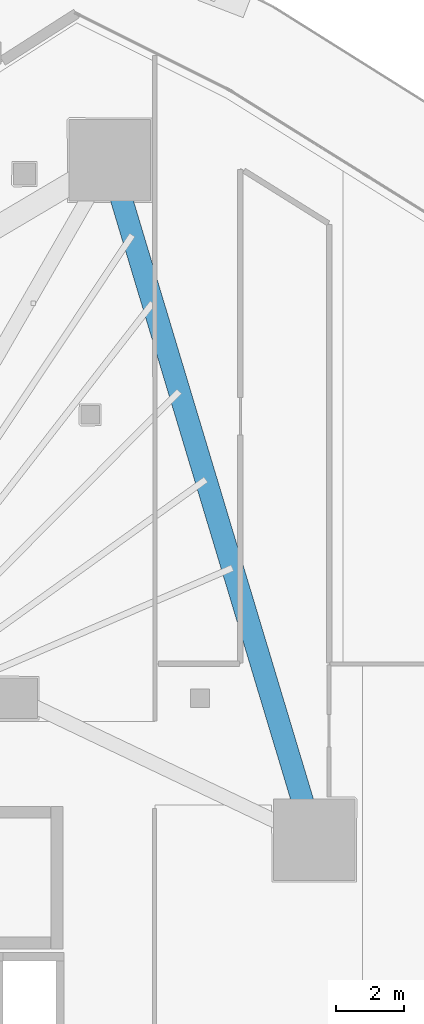
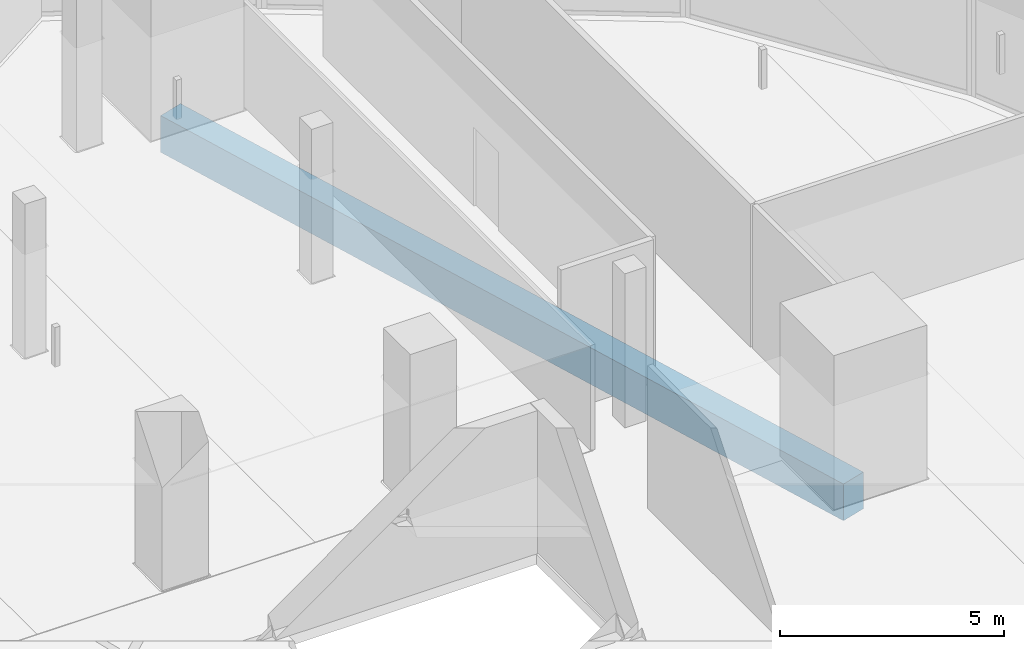
# One storey, part 23 of 45: 1 beam.
"""IFC4 building model written with IfcOpenShell, lengths in metres."""

import ifcopenshell
import ifcopenshell.guid

model = None  # the IFC model being written
_history = None  # IfcOwnerHistory: only IFC2X3 demands one
_inside = {}  # id of a spatial element -> (the spatial element, [elements in it])
_under = {}  # id of a project, library or spatial element -> (it, [spatial elements below it])
_declared = {}  # id of a project -> (the project, [libraries it declares])
_typed = {}  # id of a type object -> (the type object, [elements of that type])
_made_of = {}  # id of a material, layer set ... -> (it, [elements and type objects made of it])


def new_model(schema):
    """Start an empty IFC model of exactly this schema.

    Asked for "IFC4X3", IfcOpenShell would pick the latest addendum, in which some entities
    have other attributes; the version numbers below select the first issue.
    IFC2X3 requires an IfcOwnerHistory on every rooted entity: one is made here for all.
    """
    global model, _history
    if schema == "IFC4X3":
        model = ifcopenshell.file(schema_version=(4, 3, 0, 0))
    else:
        model = ifcopenshell.file(schema=schema)
    _inside.clear()
    _under.clear()
    _declared.clear()
    _typed.clear()
    _made_of.clear()
    _history = None
    if model.schema == "IFC2X3":
        org = make("IfcOrganization", Name="unknown")
        user = make(
            "IfcPersonAndOrganization",
            ThePerson=make("IfcPerson", FamilyName="unknown"),
            TheOrganization=org,
        )
        app = make(
            "IfcApplication",
            ApplicationDeveloper=org,
            Version="unknown",
            ApplicationFullName="unknown",
            ApplicationIdentifier="unknown",
        )
        _history = make(
            "IfcOwnerHistory",
            OwningUser=user,
            OwningApplication=app,
            ChangeAction="ADDED",
            CreationDate=0,
        )
    return model


def make(cls, **values):
    """One entity of the class cls with the attributes given. An attribute that is None is left unset."""
    return model.create_entity(
        cls, **{name: value for name, value in values.items() if value is not None}
    )


def rooted(cls, **values):
    """An entity with a GlobalId (a new one), such as an element, a storey or a relation."""
    return make(cls, GlobalId=ifcopenshell.guid.new(), OwnerHistory=_history, **values)


def si_unit(unit_type, name, prefix=None):
    """IfcSIUnit, for example si_unit("LENGTHUNIT", "METRE", prefix="MILLI")."""
    return make("IfcSIUnit", UnitType=unit_type, Prefix=prefix, Name=name)


def assignment(units):
    """IfcUnitAssignment: the units of a project."""
    return None if units is None else make("IfcUnitAssignment", Units=units)


def point(xyz):
    """IfcCartesianPoint."""
    return None if xyz is None else make("IfcCartesianPoint", Coordinates=xyz)


def direction(xyz):
    """IfcDirection."""
    return None if xyz is None else make("IfcDirection", DirectionRatios=xyz)


def frame(location, z_axis=None, x_axis=None):
    """IfcAxis2Placement3D, a coordinate frame: its origin and axes. An axis left out is left unset."""
    return make(
        "IfcAxis2Placement3D",
        Location=point(location),
        Axis=direction(z_axis),
        RefDirection=direction(x_axis),
    )


def frame_2d(location, x_axis=None):
    """IfcAxis2Placement2D, a coordinate frame in the plane: its origin and x axis."""
    return make(
        "IfcAxis2Placement2D", Location=point(location), RefDirection=direction(x_axis)
    )


def origin():
    """The frame at (0, 0, 0) with its axes left unset."""
    return frame((0.0, 0.0, 0.0))


def origin_2d():
    """The frame at (0, 0) in the plane with its x axis left unset."""
    return frame_2d((0.0, 0.0))


def place(relative_to, where):
    """IfcLocalPlacement: puts the frame where relative to a parent placement (None: the world)."""
    return make(
        "IfcLocalPlacement", PlacementRelTo=relative_to, RelativePlacement=where
    )


def context(
    kind, dimensions, precision=None, world=None, true_north=None, identifier=None
):
    """IfcGeometricRepresentationContext, for example the 3D "Model" context."""
    return make(
        "IfcGeometricRepresentationContext",
        ContextIdentifier=identifier,
        ContextType=kind,
        CoordinateSpaceDimension=dimensions,
        Precision=precision,
        WorldCoordinateSystem=world,
        TrueNorth=true_north,
    )


def subcontext(parent, identifier, kind, view, scale=None):
    """IfcGeometricRepresentationSubContext, for example "Body" below "Model"."""
    return make(
        "IfcGeometricRepresentationSubContext",
        ContextIdentifier=identifier,
        ContextType=kind,
        ParentContext=parent,
        TargetScale=scale,
        TargetView=view,
    )


def project(units=None, contexts=None):
    """IfcProject with its units and contexts."""
    return rooted(
        "IfcProject",
        Name="project",
        RepresentationContexts=contexts,
        UnitsInContext=assignment(units),
    )


def spatial(cls, under=None, at=None, **own):
    """A site, building, storey or space (cls), placed at a placement, below another one or the project."""
    s = rooted(cls, ObjectPlacement=at, **own)
    if under is not None:
        _under.setdefault(under.id(), (under, []))[1].append(s)
    return s


def profile(cls, at=None, kind="AREA", **sizes):
    """A parametric profile (cls). Its sizes go by their IFC names, for example OverallWidth=200.0."""
    return make(cls, ProfileType=kind, Position=at, **sizes)


def rectangle(**sizes):
    """IfcRectangleProfileDef."""
    return profile("IfcRectangleProfileDef", **sizes)


def extrude(swept, where, along, depth):
    """IfcExtrudedAreaSolid: the profile swept, set in the frame where, extruded along a direction by depth."""
    return make(
        "IfcExtrudedAreaSolid",
        SweptArea=swept,
        Position=where,
        ExtrudedDirection=direction(along),
        Depth=depth,
    )


def shape(context_of_items, identifier, shape_type, items):
    """IfcShapeRepresentation: the items that make up one representation, for example the "Body"."""
    return make(
        "IfcShapeRepresentation",
        ContextOfItems=context_of_items,
        RepresentationIdentifier=identifier,
        RepresentationType=shape_type,
        Items=items,
    )


def material(Name=None, Category=None):
    """IfcMaterial."""
    return make("IfcMaterial", Name=Name, Category=Category)


def material_profile(
    of_material, cross_section, Name=None, Category=None, Priority=None
):
    """IfcMaterialProfile: a cross section and its material."""
    return make(
        "IfcMaterialProfile",
        Name=Name,
        Material=of_material,
        Profile=cross_section,
        Priority=Priority,
        Category=Category,
    )


def profile_set(profiles, Name=None, composite=None):
    """IfcMaterialProfileSet."""
    return make(
        "IfcMaterialProfileSet",
        Name=Name,
        MaterialProfiles=profiles,
        CompositeProfile=composite,
    )


def made_of(thing, what):
    """Note that an element or type object is made of a material, layer set ...; save() writes the relation."""
    if what is not None:
        _made_of.setdefault(what.id(), (what, []))[1].append(thing)
    return thing


def type_object(cls, material=None, **own):
    """A type object (cls), such as IfcWallType, which elements share."""
    return made_of(rooted(cls, **own), material)


def element(
    cls,
    number,
    at=None,
    inside=None,
    cuts=None,
    type_object=None,
    material=None,
    context=None,
    identifier="Body",
    shape_type=None,
    held_by="IfcProductDefinitionShape",
    body=None,
    shapes=None,
    **own,
):
    """One element of the class cls, such as IfcWall. Its Tag is "e" and its number.

    at: its placement. inside: the storey or other place that contains it. cuts: it is an
    opening in that element (IfcRelVoidsElement). A single representation is given by context,
    identifier, shape_type and body (its items); several are given by shapes. held_by: the class
    of the entity that holds the representations. save() writes the other relations.
    """
    e = rooted(cls, Tag="e%d" % number, ObjectPlacement=at, **own)
    if body is not None:
        shapes = [shape(context, identifier, shape_type, body)]
    if shapes is not None:
        e.Representation = make(held_by, Representations=shapes)
    if inside is not None:
        _inside.setdefault(inside.id(), (inside, []))[1].append(e)
    if cuts is not None:
        rooted(
            "IfcRelVoidsElement", RelatingBuildingElement=cuts, RelatedOpeningElement=e
        )
    if type_object is not None:
        _typed.setdefault(type_object.id(), (type_object, []))[1].append(e)
    return made_of(e, material)


def aggregate(whole, parts):
    """IfcRelAggregates: a whole, such as a stair, and the parts it consists of."""
    return rooted("IfcRelAggregates", RelatingObject=whole, RelatedObjects=parts)


def save(model, path):
    """Write the relations noted so far, then the file.

    IfcRelAggregates (storeys below a building ...), IfcRelContainedInSpatialStructure (elements
    in a storey), IfcRelDefinesByType, IfcRelAssociatesMaterial and IfcRelDeclares: one each for
    every whole, place, type object, material and project.
    """
    for whole, parts in _under.values():
        aggregate(whole, parts)
    for where, things in _inside.values():
        rooted(
            "IfcRelContainedInSpatialStructure",
            RelatedElements=things,
            RelatingStructure=where,
        )
    for kind, things in _typed.values():
        rooted("IfcRelDefinesByType", RelatedObjects=things, RelatingType=kind)
    for what, things in _made_of.values():
        rooted("IfcRelAssociatesMaterial", RelatedObjects=things, RelatingMaterial=what)
    for by, libraries in _declared.values():
        rooted("IfcRelDeclares", RelatingContext=by, RelatedDefinitions=libraries)
    model.write(path)


model = new_model("IFC4")

# Units and contexts
model_context = context("Model", 3, precision=1e-05, world=origin(), true_north=direction((0.0, 1.0)))
body_context = subcontext(model_context, "Body", "Model", "MODEL_VIEW")
ifc_project = project(units=[si_unit("LENGTHUNIT", "METRE"), si_unit("AREAUNIT", "SQUARE_METRE"), si_unit("VOLUMEUNIT", "CUBIC_METRE"), si_unit("PLANEANGLEUNIT", "RADIAN"), si_unit("MASSUNIT", "GRAM", prefix="KILO")], contexts=[model_context])

# Site, building, storey
site_placement = place(None, origin())
site = spatial("IfcSite", under=ifc_project, at=site_placement, CompositionType="ELEMENT")
building_placement = place(site_placement, origin())
building = spatial("IfcBuilding", under=site, at=building_placement, Name="Qorvath Tower", CompositionType="ELEMENT")
storey_placement = place(building_placement, frame((0.0, 0.0, 95.39990234375)))
storey = spatial("IfcBuildingStorey", under=building, at=storey_placement, Name="L21", CompositionType="ELEMENT", Elevation=95.39990234375)

# Beam
ifc_material = material(Name="Concrete C50/60", Category="concrete")
ifc_material_profile = material_profile(ifc_material, rectangle(XDim=0.64990234375, YDim=1.0, at=origin_2d()), Name="RCB 1000x650")
ifc_profile_set = profile_set([ifc_material_profile], Name="Concrete C50/60")
beam_type = type_object("IfcBeamType", Name="BM-RCB1", PredefinedType="SPANDREL", material=ifc_profile_set)
beam_placement = place(storey_placement, frame((-8.430419921875, 7.2763671875, -0.77978515625), z_axis=(-0.288118908799, 0.957594639914, 0.0), x_axis=(-0.957594639914, -0.288118908799, 0.0)))
element("IfcBeam", 1, at=beam_placement, inside=storey, type_object=beam_type, Name="Perimeter Loggia Frame Beam MC5-MC6 L21", PredefinedType="SPANDREL", context=body_context, shape_type="SweptSolid", body=[
    extrude(rectangle(XDim=0.64990234375, YDim=1.0, at=origin_2d()), origin(), (0.0, 0.0, 1.0), 20.942626953125),
])

save(model, "model.ifc")
